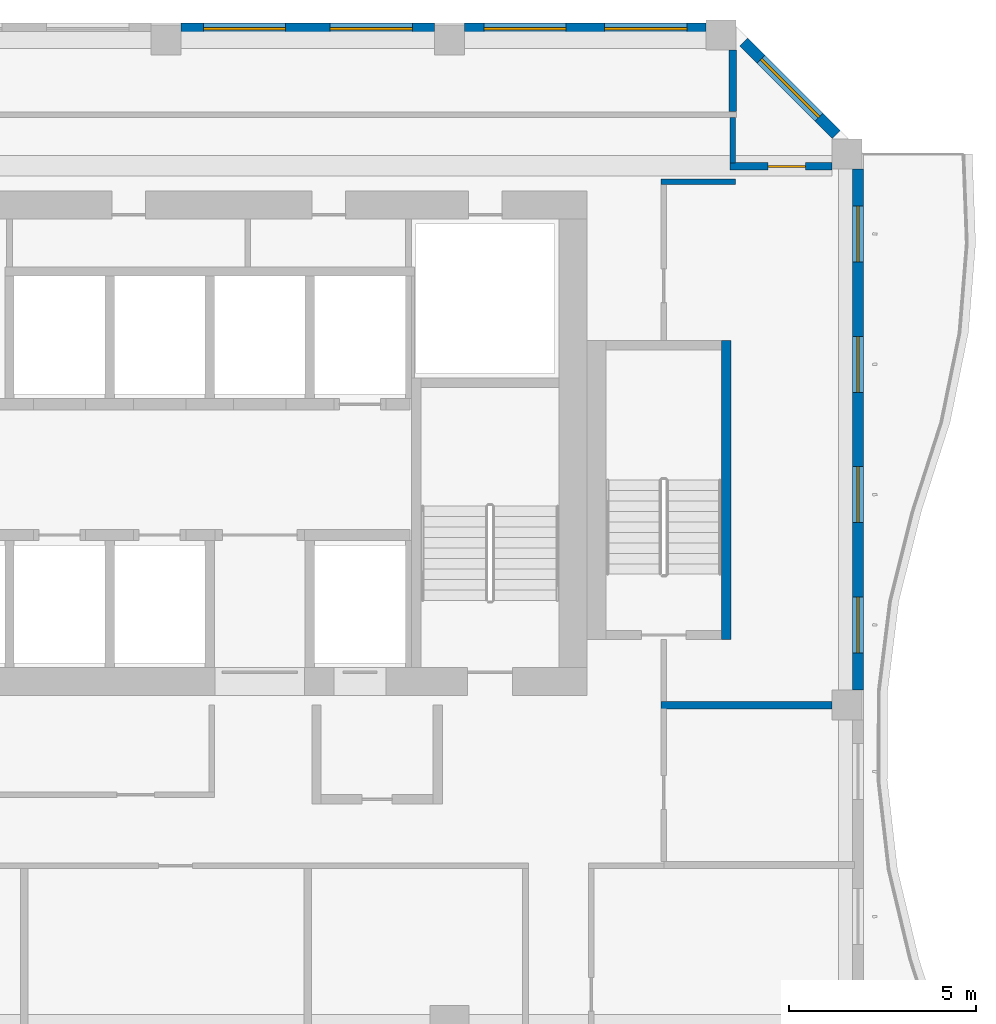
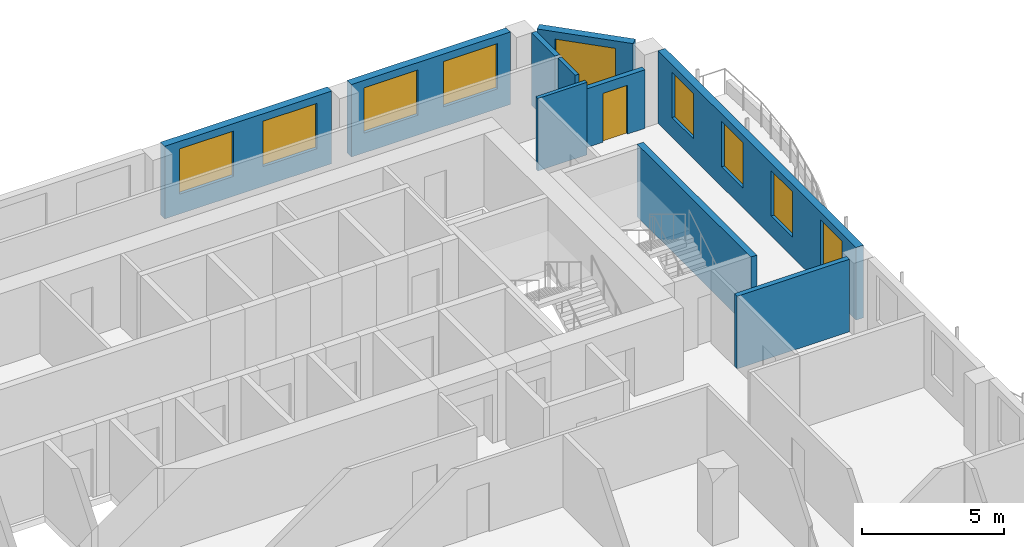
# One storey, part 10 of 21: 10 walls, 9 windows, 1 door, 10 openings.
"""IFC4 building model written with IfcOpenShell, lengths in metres."""

from ifc_helpers import new_model, si_unit, direction, frame, frame_2d, origin, place, context, subcontext, project, spatial, rectangle, extrude, source, transform, mapped, material, layer, layer_set, type_object, element, fill, save


model = new_model("IFC4")

# Units and contexts
model_context = context("Model", 3, precision=1e-05, world=origin(), true_north=direction((0.0, 1.0)))
body_context = subcontext(model_context, "Body", "Model", "MODEL_VIEW")
ifc_project = project(units=[si_unit("LENGTHUNIT", "METRE"), si_unit("AREAUNIT", "SQUARE_METRE"), si_unit("VOLUMEUNIT", "CUBIC_METRE"), si_unit("PLANEANGLEUNIT", "RADIAN"), si_unit("MASSUNIT", "GRAM", prefix="KILO")], contexts=[model_context])

# Site, building, storey
site_placement = place(None, origin())
site = spatial("IfcSite", under=ifc_project, at=site_placement, CompositionType="ELEMENT")
building_placement = place(site_placement, origin())
building = spatial("IfcBuilding", under=site, at=building_placement, Name="Kilnfold Tower and Market Hall", CompositionType="ELEMENT")
storey_placement = place(building_placement, frame((0.0, 0.0, 185.5)))
storey = spatial("IfcBuildingStorey", under=building, at=storey_placement, Name="L44", CompositionType="ELEMENT", Elevation=185.5)

# Walls
ifc_material_1 = material(Name="Gypsum board on steel studs", Category="steel")
ifc_layer_1 = layer(ifc_material_1, 0.14990234375)
ifc_layer_set_1 = layer_set([ifc_layer_1], Name="Gypsum board on steel studs")
wall_type_1 = type_object("IfcWallType", Name="WALL CORRIDOR 150", PredefinedType="PARTITIONING", material=ifc_layer_set_1)
wall_1_placement = place(storey_placement, frame((19.824951171875, 22.0, 0.0), z_axis=(0.0, 0.0, 1.0), x_axis=(1.0, 0.0, 0.0)))
element("IfcWall", 1, at=wall_1_placement, inside=storey, type_object=wall_type_1, Name="Partition LY27.30", PredefinedType="PARTITIONING", context=body_context, shape_type="SweptSolid", body=[
    extrude(rectangle(XDim=2.0, YDim=0.14990234375, at=frame_2d((1.0, 0.0))), origin(), (0.0, 0.0, 1.0), 3.1201171875),
])
wall_2_placement = place(storey_placement, frame((21.75, 22.5029296875, 0.0), z_axis=(0.0, 0.0, 1.0), x_axis=(0.0, 1.0, 0.0)))
element("IfcWall", 2, at=wall_2_placement, inside=storey, type_object=wall_type_1, Name="Partition LY27.33", PredefinedType="PARTITIONING", context=body_context, shape_type="SweptSolid", body=[
    extrude(rectangle(XDim=1.22216796875, YDim=0.14990234375, at=frame_2d((0.611083984375, 0.0))), origin(), (0.0, 0.0, 1.0), 3.1201171875),
])
ifc_material_2 = material(Name="Gypsum board on steel studs", Category="steel")
ifc_layer_2 = layer(ifc_material_2, 0.199951171875)
ifc_layer_set_2 = layer_set([ifc_layer_2], Name="Gypsum board on steel studs")
wall_type_2 = type_object("IfcWallType", Name="WALL PARTY 200", PredefinedType="PARTITIONING", material=ifc_layer_set_2)
wall_3_placement = place(storey_placement, frame((19.826904296875, 8.0, 0.0), z_axis=(0.0, 0.0, 1.0), x_axis=(1.0, 0.0, 0.0)))
element("IfcWall", 3, at=wall_3_placement, inside=storey, type_object=wall_type_2, Name="Partition LY27.111", PredefinedType="PARTITIONING", context=body_context, shape_type="SweptSolid", body=[
    extrude(rectangle(XDim=4.572998046875, YDim=0.199951171875, at=frame_2d((2.28662109375, 0.0))), origin(), (0.0, 0.0, 1.0), 3.1201171875),
])

# Wall, opening, door
wall_4_placement = place(storey_placement, frame((24.39990234375, 22.4130859375, 0.0), z_axis=(0.0, 0.0, 1.0), x_axis=(-1.0, 0.0, 0.0)))
wall_4 = element("IfcWall", 4, at=wall_4_placement, inside=storey, type_object=wall_type_2, Name="Partition LY27.113", PredefinedType="PARTITIONING", context=body_context, shape_type="SweptSolid", body=[
    extrude(rectangle(XDim=2.722900390625, YDim=0.199951171875, at=frame_2d((1.361328125, 0.0))), origin(), (0.0, 0.0, 1.0), 2.52001953125),
])
opening_1_placement = place(wall_4_placement, frame((0.708984375, 0.0, 0.0)))
opening_1 = element("IfcOpeningElement", 5, at=opening_1_placement, cuts=wall_4, Name="Opening D4", PredefinedType="OPENING", context=body_context, shape_type="SweptSolid", body=[
    extrude(rectangle(XDim=1.0, YDim=2.10009765625, at=frame_2d((0.5, 1.050048828125))), frame((0.0, 0.10986328125, 0.0), z_axis=(0.0, -1.0, 0.0), x_axis=(1.0, 0.0, 0.0)), (0.0, 0.0, 1.0), 0.219970703125),
])
ifc_material_3 = material(Name="Timber veneer door leaf in steel frame", Category="steel")
door_type = type_object("IfcDoorType", Name="DOOR SERVICE 1000 X2100", OperationType="NOTDEFINED", PredefinedType="DOOR", material=ifc_material_3)
door_placement = place(opening_1_placement, origin())
door = element("IfcDoor", 6, at=door_placement, inside=storey, type_object=door_type, Name="Door D4", OperationType="SINGLE_SWING_RIGHT", OverallHeight=2.10009765625, OverallWidth=1.0, PredefinedType="DOOR", context=body_context, shape_type="SweptSolid", body=[
    extrude(rectangle(XDim=1.0, YDim=2.10009765625, at=frame_2d((0.5, 1.050048828125))), frame((0.0, 0.02490234375, 0.0), z_axis=(0.0, -1.0, 0.0), x_axis=(1.0, 0.0, 0.0)), (0.0, 0.0, 1.0), 0.050048828125),
])
fill(opening_1, door)

# Walls
wall_5_placement = place(storey_placement, frame((21.75, 25.531982421875, 0.0), z_axis=(0.0, 0.0, 1.0), x_axis=(0.0, -1.0, 0.0)))
element("IfcWall", 7, at=wall_5_placement, inside=storey, type_object=wall_type_2, Name="Partition LY27.114", PredefinedType="PARTITIONING", context=body_context, shape_type="SweptSolid", body=[
    extrude(rectangle(XDim=1.655029296875, YDim=0.199951171875, at=frame_2d((0.82763671875, 0.0))), origin(), (0.0, 0.0, 1.0), 3.1201171875),
])
ifc_material_4 = material(Name="Concrete C60", Category="concrete")
ifc_layer_3 = layer(ifc_material_4, 0.25)
ifc_layer_set_3 = layer_set([ifc_layer_3], Name="Concrete C60")
wall_type_3 = type_object("IfcWallType", Name="CORE WALL 250 C60", PredefinedType="SHEAR", material=ifc_layer_set_3)
shared_shape_1 = source(origin(), body_context, "Body", "SweptSolid", [
    extrude(rectangle(XDim=8.0, YDim=0.25, at=frame_2d((4.0, 0.0))), origin(), (0.0, 0.0, 1.0), 3.1201171875),
])
wall_6_placement = place(storey_placement, frame((21.574951171875, 9.75, 0.0), z_axis=(0.0, 0.0, 1.0), x_axis=(0.0, 1.0, 0.0)))
element("IfcWall", 8, at=wall_6_placement, inside=storey, type_object=wall_type_3, Name="Stair enclosure ST5", PredefinedType="SHEAR", context=body_context, shape_type="MappedRepresentation", body=[
    mapped(shared_shape_1, transform((0.0, 0.0, 0.0))),
])

# Wall, openings, windows
ifc_material_5 = material(Name="Precast concrete C50/60", Category="concrete")
ifc_layer_4 = layer(ifc_material_5, 0.300048828125)
ifc_layer_set_4 = layer_set([ifc_layer_4], Name="Precast concrete C50/60")
wall_type_4 = type_object("IfcWallType", Name="PRECAST WALL 300", PredefinedType="SOLIDWALL", material=ifc_layer_set_4)
shared_shape_2 = source(origin(), body_context, "Body", "SweptSolid", [
    extrude(rectangle(XDim=6.783203125, YDim=0.300048828125, at=frame_2d((3.3916015625, 0.0))), origin(), (0.0, 0.0, 1.0), 3.1201171875),
])
wall_7_placement = place(storey_placement, frame((13.7666015625, 26.10009765625, 0.0), z_axis=(0.0, 0.0, 1.0), x_axis=(-1.0, 0.0, 0.0)))
wall_7 = element("IfcWall", 9, at=wall_7_placement, inside=storey, type_object=wall_type_4, Name="External wall L44 N", PredefinedType="SOLIDWALL", context=body_context, shape_type="MappedRepresentation", body=[
    mapped(shared_shape_2, transform((0.0, 0.0, 0.0))),
])
opening_2_placement = place(wall_7_placement, frame((0.595703125, 0.0, 0.85009765625)))
opening_2 = element("IfcOpeningElement", 10, at=opening_2_placement, cuts=wall_7, Name="Opening W2", PredefinedType="OPENING", context=body_context, shape_type="SweptSolid", body=[
    extrude(rectangle(XDim=2.199951171875, YDim=1.949951171875, at=frame_2d((1.10009765625, 0.97509765625))), frame((0.0, 0.16015625, 0.0), z_axis=(0.0, -1.0, 0.0), x_axis=(1.0, 0.0, 0.0)), (0.0, 0.0, 1.0), 0.320068359375),
])
opening_3_placement = place(wall_7_placement, frame((3.987548828125, 0.0, 0.85009765625)))
opening_3 = element("IfcOpeningElement", 11, at=opening_3_placement, cuts=wall_7, Name="Opening W2", PredefinedType="OPENING", context=body_context, shape_type="SweptSolid", body=[
    extrude(rectangle(XDim=2.199951171875, YDim=1.949951171875, at=frame_2d((1.10009765625, 0.97509765625))), frame((0.0, 0.16015625, 0.0), z_axis=(0.0, -1.0, 0.0), x_axis=(1.0, 0.0, 0.0)), (0.0, 0.0, 1.0), 0.320068359375),
])
ifc_material_6 = material(Name="Aluminium frame and double glazing", Category="aluminium")
window_type_1 = type_object("IfcWindowType", Name="WINDOW W2 2200X1950", PartitioningType="SINGLE_PANEL", PredefinedType="WINDOW", material=ifc_material_6)
window_1_placement = place(opening_2_placement, origin())
window_1 = element("IfcWindow", 12, at=window_1_placement, inside=storey, type_object=window_type_1, Name="Window W2 L44 N-1", OverallHeight=1.949951171875, OverallWidth=2.199951171875, PartitioningType="SINGLE_PANEL", PredefinedType="WINDOW", context=body_context, shape_type="SweptSolid", body=[
    extrude(rectangle(XDim=2.199951171875, YDim=1.949951171875, at=frame_2d((1.10009765625, 0.97509765625))), frame((0.0, 0.030029296875, 0.0), z_axis=(0.0, -1.0, 0.0), x_axis=(1.0, 0.0, 0.0)), (0.0, 0.0, 1.0), 0.06005859375),
])
fill(opening_2, window_1)
window_2_placement = place(opening_3_placement, origin())
window_2 = element("IfcWindow", 13, at=window_2_placement, inside=storey, type_object=window_type_1, Name="Window W2 L44 N-2", OverallHeight=1.949951171875, OverallWidth=2.199951171875, PartitioningType="SINGLE_PANEL", PredefinedType="WINDOW", context=body_context, shape_type="SweptSolid", body=[
    extrude(rectangle(XDim=2.199951171875, YDim=1.949951171875, at=frame_2d((1.10009765625, 0.97509765625))), frame((0.0, 0.030029296875, 0.0), z_axis=(0.0, -1.0, 0.0), x_axis=(1.0, 0.0, 0.0)), (0.0, 0.0, 1.0), 0.06005859375),
])
fill(opening_3, window_2)

# Wall, opening, window
shared_shape_3 = source(origin(), body_context, "Body", "SweptSolid", [
    extrude(rectangle(XDim=3.500244140625, YDim=0.300048828125, at=frame_2d((1.75, 0.0))), origin(), (0.0, 0.0, 1.0), 3.1201171875),
])
wall_8_placement = place(storey_placement, frame((24.518798828125, 23.268798828125, 0.0), z_axis=(0.0, 0.0, 1.0), x_axis=(-0.70707190453, 0.707141656123, 0.0)))
wall_8 = element("IfcWall", 14, at=wall_8_placement, inside=storey, type_object=wall_type_4, Name="External wall L44 NE", PredefinedType="SOLIDWALL", context=body_context, shape_type="MappedRepresentation", body=[
    mapped(shared_shape_3, transform((0.0, 0.0, 0.0))),
])
opening_4_placement = place(wall_8_placement, frame((0.650146484375, 0.0, 0.85009765625)))
opening_4 = element("IfcOpeningElement", 15, at=opening_4_placement, cuts=wall_8, Name="Opening W2", PredefinedType="OPENING", context=body_context, shape_type="SweptSolid", body=[
    extrude(rectangle(XDim=2.199951171875, YDim=1.949951171875, at=frame_2d((1.10009765625, 0.97509765625))), frame((0.0, 0.16015625, 0.0), z_axis=(0.0, -1.0, 0.0), x_axis=(1.0, 0.0, 0.0)), (0.0, 0.0, 1.0), 0.320068359375),
])
window_3_placement = place(opening_4_placement, origin())
window_3 = element("IfcWindow", 16, at=window_3_placement, inside=storey, type_object=window_type_1, Name="Window W2 L44 NE-1", OverallHeight=1.949951171875, OverallWidth=2.199951171875, PartitioningType="SINGLE_PANEL", PredefinedType="WINDOW", context=body_context, shape_type="SweptSolid", body=[
    extrude(rectangle(XDim=2.199951171875, YDim=1.949951171875, at=frame_2d((1.10009765625, 0.97509765625))), frame((0.0, 0.030029296875, 0.0), z_axis=(0.0, -1.0, 0.0), x_axis=(1.0, 0.0, 0.0)), (0.0, 0.0, 1.0), 0.06005859375),
])
fill(opening_4, window_3)

# Wall, openings, windows
shared_shape_4 = source(origin(), body_context, "Body", "SweptSolid", [
    extrude(rectangle(XDim=6.465087890625, YDim=0.300048828125, at=frame_2d((3.232421875, 0.0))), origin(), (0.0, 0.0, 1.0), 3.1201171875),
])
wall_9_placement = place(storey_placement, frame((21.03173828125, 26.10009765625, 0.0), z_axis=(0.0, 0.0, 1.0), x_axis=(-1.0, 0.0, 0.0)))
wall_9 = element("IfcWall", 17, at=wall_9_placement, inside=storey, type_object=wall_type_4, Name="External wall L44 N", PredefinedType="SOLIDWALL", context=body_context, shape_type="MappedRepresentation", body=[
    mapped(shared_shape_4, transform((0.0, 0.0, 0.0))),
])
opening_5_placement = place(wall_9_placement, frame((0.51611328125, 0.0, 0.85009765625)))
opening_5 = element("IfcOpeningElement", 18, at=opening_5_placement, cuts=wall_9, Name="Opening W2", PredefinedType="OPENING", context=body_context, shape_type="SweptSolid", body=[
    extrude(rectangle(XDim=2.199951171875, YDim=1.949951171875, at=frame_2d((1.10009765625, 0.97509765625))), frame((0.0, 0.16015625, 0.0), z_axis=(0.0, -1.0, 0.0), x_axis=(1.0, 0.0, 0.0)), (0.0, 0.0, 1.0), 0.320068359375),
])
opening_6_placement = place(wall_9_placement, frame((3.748779296875, 0.0, 0.85009765625)))
opening_6 = element("IfcOpeningElement", 19, at=opening_6_placement, cuts=wall_9, Name="Opening W2", PredefinedType="OPENING", context=body_context, shape_type="SweptSolid", body=[
    extrude(rectangle(XDim=2.199951171875, YDim=1.949951171875, at=frame_2d((1.10009765625, 0.97509765625))), frame((0.0, 0.16015625, 0.0), z_axis=(0.0, -1.0, 0.0), x_axis=(1.0, 0.0, 0.0)), (0.0, 0.0, 1.0), 0.320068359375),
])
window_4_placement = place(opening_5_placement, origin())
window_4 = element("IfcWindow", 20, at=window_4_placement, inside=storey, type_object=window_type_1, Name="Window W2 L44 N-1", OverallHeight=1.949951171875, OverallWidth=2.199951171875, PartitioningType="SINGLE_PANEL", PredefinedType="WINDOW", context=body_context, shape_type="SweptSolid", body=[
    extrude(rectangle(XDim=2.199951171875, YDim=1.949951171875, at=frame_2d((1.10009765625, 0.97509765625))), frame((0.0, 0.030029296875, 0.0), z_axis=(0.0, -1.0, 0.0), x_axis=(1.0, 0.0, 0.0)), (0.0, 0.0, 1.0), 0.06005859375),
])
fill(opening_5, window_4)
window_5_placement = place(opening_6_placement, origin())
window_5 = element("IfcWindow", 21, at=window_5_placement, inside=storey, type_object=window_type_1, Name="Window W2 L44 N-2", OverallHeight=1.949951171875, OverallWidth=2.199951171875, PartitioningType="SINGLE_PANEL", PredefinedType="WINDOW", context=body_context, shape_type="SweptSolid", body=[
    extrude(rectangle(XDim=2.199951171875, YDim=1.949951171875, at=frame_2d((1.10009765625, 0.97509765625))), frame((0.0, 0.030029296875, 0.0), z_axis=(0.0, -1.0, 0.0), x_axis=(1.0, 0.0, 0.0)), (0.0, 0.0, 1.0), 0.06005859375),
])
fill(opening_6, window_5)

shared_shape_5 = source(origin(), body_context, "Body", "SweptSolid", [
    extrude(rectangle(XDim=13.9501953125, YDim=0.300048828125, at=frame_2d((6.97509765625, 0.0))), origin(), (0.0, 0.0, 1.0), 3.1201171875),
])
wall_10_placement = place(storey_placement, frame((25.10009765625, 8.39990234375, 0.0), z_axis=(0.0, 0.0, 1.0), x_axis=(0.0, 1.0, 0.0)))
wall_10 = element("IfcWall", 22, at=wall_10_placement, inside=storey, type_object=wall_type_4, Name="External wall L44 E", PredefinedType="SOLIDWALL", context=body_context, shape_type="MappedRepresentation", body=[
    mapped(shared_shape_5, transform((0.0, 0.0, 0.0))),
])
opening_7_placement = place(wall_10_placement, frame((0.993896484375, 0.0, 0.85009765625)))
opening_7 = element("IfcOpeningElement", 23, at=opening_7_placement, cuts=wall_10, Name="Opening W4", PredefinedType="OPENING", context=body_context, shape_type="SweptSolid", body=[
    extrude(rectangle(XDim=1.5, YDim=1.949951171875, at=frame_2d((0.75, 0.97509765625))), frame((0.0, 0.16015625, 0.0), z_axis=(0.0, -1.0, 0.0), x_axis=(1.0, 0.0, 0.0)), (0.0, 0.0, 1.0), 0.320068359375),
])
opening_8_placement = place(wall_10_placement, frame((4.481201171875, 0.0, 0.85009765625)))
opening_8 = element("IfcOpeningElement", 24, at=opening_8_placement, cuts=wall_10, Name="Opening W4", PredefinedType="OPENING", context=body_context, shape_type="SweptSolid", body=[
    extrude(rectangle(XDim=1.5, YDim=1.949951171875, at=frame_2d((0.75, 0.97509765625))), frame((0.0, 0.16015625, 0.0), z_axis=(0.0, -1.0, 0.0), x_axis=(1.0, 0.0, 0.0)), (0.0, 0.0, 1.0), 0.320068359375),
])
opening_9_placement = place(wall_10_placement, frame((7.96875, 0.0, 0.85009765625)))
opening_9 = element("IfcOpeningElement", 25, at=opening_9_placement, cuts=wall_10, Name="Opening W4", PredefinedType="OPENING", context=body_context, shape_type="SweptSolid", body=[
    extrude(rectangle(XDim=1.5, YDim=1.949951171875, at=frame_2d((0.75, 0.97509765625))), frame((0.0, 0.16015625, 0.0), z_axis=(0.0, -1.0, 0.0), x_axis=(1.0, 0.0, 0.0)), (0.0, 0.0, 1.0), 0.320068359375),
])
opening_10_placement = place(wall_10_placement, frame((11.456298828125, 0.0, 0.85009765625)))
opening_10 = element("IfcOpeningElement", 26, at=opening_10_placement, cuts=wall_10, Name="Opening W4", PredefinedType="OPENING", context=body_context, shape_type="SweptSolid", body=[
    extrude(rectangle(XDim=1.5, YDim=1.949951171875, at=frame_2d((0.75, 0.97509765625))), frame((0.0, 0.16015625, 0.0), z_axis=(0.0, -1.0, 0.0), x_axis=(1.0, 0.0, 0.0)), (0.0, 0.0, 1.0), 0.320068359375),
])
ifc_material_7 = material(Name="Aluminium frame and double glazing", Category="aluminium")
window_type_2 = type_object("IfcWindowType", Name="WINDOW W4 1500X1950", PartitioningType="SINGLE_PANEL", PredefinedType="WINDOW", material=ifc_material_7)
window_6_placement = place(opening_7_placement, origin())
window_6 = element("IfcWindow", 27, at=window_6_placement, inside=storey, type_object=window_type_2, Name="Window W4 L44 E-1", OverallHeight=1.949951171875, OverallWidth=1.5, PartitioningType="SINGLE_PANEL", PredefinedType="WINDOW", context=body_context, shape_type="SweptSolid", body=[
    extrude(rectangle(XDim=1.5, YDim=1.949951171875, at=frame_2d((0.75, 0.97509765625))), frame((0.0, 0.030029296875, 0.0), z_axis=(0.0, -1.0, 0.0), x_axis=(1.0, 0.0, 0.0)), (0.0, 0.0, 1.0), 0.06005859375),
])
fill(opening_7, window_6)
window_7_placement = place(opening_8_placement, origin())
window_7 = element("IfcWindow", 28, at=window_7_placement, inside=storey, type_object=window_type_2, Name="Window W4 L44 E-2", OverallHeight=1.949951171875, OverallWidth=1.5, PartitioningType="SINGLE_PANEL", PredefinedType="WINDOW", context=body_context, shape_type="SweptSolid", body=[
    extrude(rectangle(XDim=1.5, YDim=1.949951171875, at=frame_2d((0.75, 0.97509765625))), frame((0.0, 0.030029296875, 0.0), z_axis=(0.0, -1.0, 0.0), x_axis=(1.0, 0.0, 0.0)), (0.0, 0.0, 1.0), 0.06005859375),
])
fill(opening_8, window_7)
window_8_placement = place(opening_9_placement, origin())
window_8 = element("IfcWindow", 29, at=window_8_placement, inside=storey, type_object=window_type_2, Name="Window W4 L44 E-3", OverallHeight=1.949951171875, OverallWidth=1.5, PartitioningType="SINGLE_PANEL", PredefinedType="WINDOW", context=body_context, shape_type="SweptSolid", body=[
    extrude(rectangle(XDim=1.5, YDim=1.949951171875, at=frame_2d((0.75, 0.97509765625))), frame((0.0, 0.030029296875, 0.0), z_axis=(0.0, -1.0, 0.0), x_axis=(1.0, 0.0, 0.0)), (0.0, 0.0, 1.0), 0.06005859375),
])
fill(opening_9, window_8)
window_9_placement = place(opening_10_placement, origin())
window_9 = element("IfcWindow", 30, at=window_9_placement, inside=storey, type_object=window_type_2, Name="Window W4 L44 E-4", OverallHeight=1.949951171875, OverallWidth=1.5, PartitioningType="SINGLE_PANEL", PredefinedType="WINDOW", context=body_context, shape_type="SweptSolid", body=[
    extrude(rectangle(XDim=1.5, YDim=1.949951171875, at=frame_2d((0.75, 0.97509765625))), frame((0.0, 0.030029296875, 0.0), z_axis=(0.0, -1.0, 0.0), x_axis=(1.0, 0.0, 0.0)), (0.0, 0.0, 1.0), 0.06005859375),
])
fill(opening_10, window_9)

save(model, "model.ifc")
